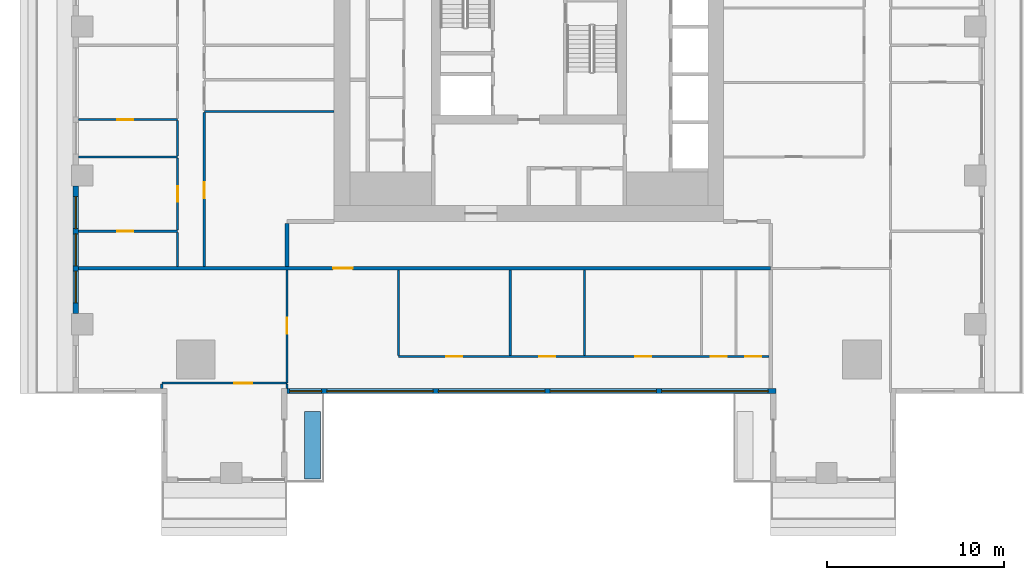
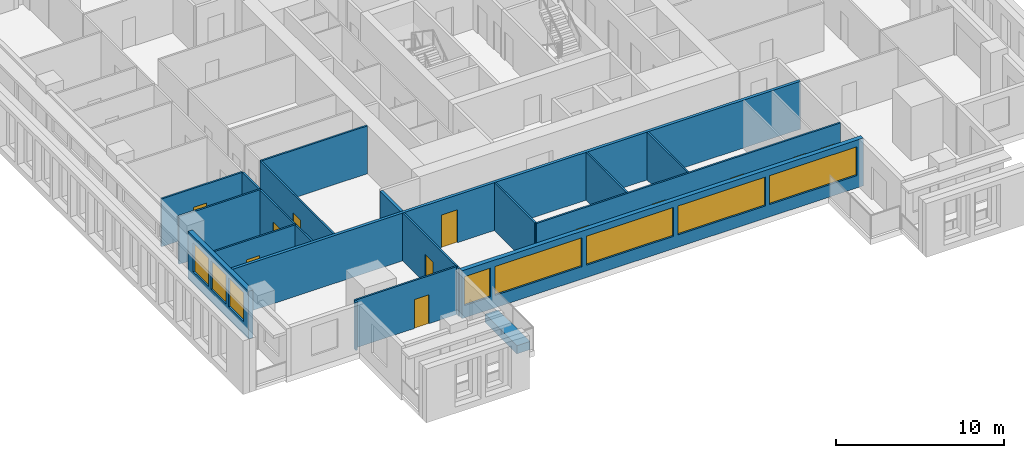
# One storey, part 2 of 14: 21 walls, 12 doors, 8 windows, 20 openings.
"""IFC4 building model written with IfcOpenShell, lengths in metres."""

from ifc_helpers import new_model, si_unit, direction, frame, frame_2d, origin, place, context, subcontext, project, spatial, rectangle, extrude, material, layer, layer_set, type_object, element, fill, save


model = new_model("IFC4")

# Units and contexts
model_context = context("Model", 3, precision=1e-05, world=origin(), true_north=direction((0.0, 1.0)))
body_context = subcontext(model_context, "Body", "Model", "MODEL_VIEW")
ifc_project = project(units=[si_unit("LENGTHUNIT", "METRE"), si_unit("AREAUNIT", "SQUARE_METRE"), si_unit("VOLUMEUNIT", "CUBIC_METRE"), si_unit("PLANEANGLEUNIT", "RADIAN"), si_unit("MASSUNIT", "GRAM", prefix="KILO")], contexts=[model_context])

# Site, building, storey
site_placement = place(None, origin())
site = spatial("IfcSite", under=ifc_project, at=site_placement, CompositionType="ELEMENT")
building_placement = place(site_placement, origin())
building = spatial("IfcBuilding", under=site, at=building_placement, Name="Khepri Terraces", CompositionType="ELEMENT")
storey_placement = place(building_placement, frame((0.0, 0.0, 279.60009765625)))
storey = spatial("IfcBuildingStorey", under=building, at=storey_placement, Name="L67", CompositionType="ELEMENT", Elevation=279.60009765625)

# Wall, opening, door
ifc_material_1 = material(Name="Fire-rated gypsum plasterboard partition, mineral wool")
ifc_layer_1 = layer(ifc_material_1, 0.199951171875, Name="Fire-rated gypsum plasterboard partition, mineral wool")
ifc_layer_set_1 = layer_set([ifc_layer_1], Name="Fire-rated gypsum plasterboard partition, mineral wool")
wall_type_1 = type_object("IfcWallType", Name="WL-CORR-200", PredefinedType="PARTITIONING", material=ifc_layer_set_1)
wall_1_placement = place(storey_placement, frame((-25.419921875, -13.64990234375, 0.0), z_axis=(0.0, 0.0, 1.0), x_axis=(1.0, 0.0, 0.0)))
wall_1 = element("IfcWall", 1, at=wall_1_placement, inside=storey, type_object=wall_type_1, Name="Partition P-014 L67", PredefinedType="PARTITIONING", context=body_context, shape_type="SweptSolid", body=[
    extrude(rectangle(XDim=39.06982421875, YDim=0.199951171875, at=frame_2d((19.534912109375, 0.0))), origin(), (0.0, 0.0, 1.0), 3.47998046875),
])
opening_1_placement = place(wall_1_placement, frame((14.3701171875, 0.0, 0.0)))
opening_1 = element("IfcOpeningElement", 2, at=opening_1_placement, cuts=wall_1, Name="Opening D1", PredefinedType="OPENING", context=body_context, shape_type="SweptSolid", body=[
    extrude(rectangle(XDim=1.10009765625, YDim=2.39990234375, at=frame_2d((0.550048828125, 1.199951171875))), frame((0.0, 0.10986328125, 0.0), z_axis=(0.0, -1.0, 0.0), x_axis=(1.0, 0.0, 0.0)), (0.0, 0.0, 1.0), 0.219970703125),
])
ifc_material_2 = material(Name="Solid-core timber door leaf, flat entrance door", Category="wood")
door_type_1 = type_object("IfcDoorType", Name="DR-ENT-1100", OperationType="NOTDEFINED", PredefinedType="DOOR", material=ifc_material_2)
door_1_placement = place(opening_1_placement, frame((1.10009765625, 0.0, 0.0), z_axis=(0.0, 0.0, 1.0), x_axis=(-1.0, 0.0, 0.0)))
door_1 = element("IfcDoor", 3, at=door_1_placement, inside=storey, type_object=door_type_1, Name="Flat A1 entrance door", OperationType="SINGLE_SWING_RIGHT", OverallHeight=2.39990234375, OverallWidth=1.10009765625, PredefinedType="DOOR", context=body_context, shape_type="SweptSolid", body=[
    extrude(rectangle(XDim=1.10009765625, YDim=2.39990234375, at=frame_2d((0.550048828125, 1.199951171875))), frame((0.0, 0.02490234375, 0.0), z_axis=(0.0, -1.0, 0.0), x_axis=(1.0, 0.0, 0.0)), (0.0, 0.0, 1.0), 0.050048828125),
])
fill(opening_1, door_1)

# Wall
wall_2_placement = place(storey_placement, frame((-13.64990234375, -13.550048828125, 0.0), z_axis=(0.0, 0.0, 1.0), x_axis=(0.0, 1.0, 0.0)))
element("IfcWall", 4, at=wall_2_placement, inside=storey, type_object=wall_type_1, Name="Partition P-019 L67", PredefinedType="PARTITIONING", context=body_context, shape_type="SweptSolid", body=[
    extrude(rectangle(XDim=2.449951171875, YDim=0.199951171875, at=frame_2d((1.22509765625, 0.0))), origin(), (0.0, 0.0, 1.0), 3.47998046875),
])

# Wall, openings, windows
ifc_material_3 = material(Name="Precast concrete C50/60 warm stone", Category="masonry")
ifc_layer_2 = layer(ifc_material_3, 0.300048828125, Name="Precast concrete C50/60 warm stone", Category="masonry")
ifc_layer_set_2 = layer_set([ifc_layer_2], Name="Precast concrete C50/60 warm stone")
wall_type_2 = type_object("IfcWallType", Name="WL-EXT-PRECAST-300", PredefinedType="STANDARD", material=ifc_layer_set_2)
wall_3_placement = place(storey_placement, frame((-25.570068359375, -9.0, 0.0), z_axis=(0.0, 0.0, 1.0), x_axis=(0.0, -1.0, 0.0)))
wall_3 = element("IfcWall", 5, at=wall_3_placement, inside=storey, type_object=wall_type_2, Name="External wall L67 W", PredefinedType="STANDARD", context=body_context, shape_type="SweptSolid", body=[
    extrude(rectangle(XDim=7.199951171875, YDim=0.300048828125, at=frame_2d((3.60009765625, 0.0))), origin(), (0.0, 0.0, 1.0), 3.47998046875),
])
opening_2_placement = place(wall_3_placement, frame((0.60009765625, 0.0, 0.89990234375)))
opening_2 = element("IfcOpeningElement", 6, at=opening_2_placement, cuts=wall_3, Name="Opening W1", PredefinedType="OPENING", context=body_context, shape_type="SweptSolid", body=[
    extrude(rectangle(XDim=1.800048828125, YDim=2.10009765625, at=frame_2d((0.89990234375, 1.050048828125))), frame((0.0, 0.16015625, 0.0), z_axis=(0.0, -1.0, 0.0), x_axis=(1.0, 0.0, 0.0)), (0.0, 0.0, 1.0), 0.320068359375),
])
opening_3_placement = place(wall_3_placement, frame((2.699951171875, 0.0, 0.89990234375)))
opening_3 = element("IfcOpeningElement", 7, at=opening_3_placement, cuts=wall_3, Name="Opening W1", PredefinedType="OPENING", context=body_context, shape_type="SweptSolid", body=[
    extrude(rectangle(XDim=1.800048828125, YDim=2.10009765625, at=frame_2d((0.89990234375, 1.050048828125))), frame((0.0, 0.16015625, 0.0), z_axis=(0.0, -1.0, 0.0), x_axis=(1.0, 0.0, 0.0)), (0.0, 0.0, 1.0), 0.320068359375),
])
opening_4_placement = place(wall_3_placement, frame((4.800048828125, 0.0, 0.89990234375)))
opening_4 = element("IfcOpeningElement", 8, at=opening_4_placement, cuts=wall_3, Name="Opening W1", PredefinedType="OPENING", context=body_context, shape_type="SweptSolid", body=[
    extrude(rectangle(XDim=1.800048828125, YDim=2.10009765625, at=frame_2d((0.89990234375, 1.050048828125))), frame((0.0, 0.16015625, 0.0), z_axis=(0.0, -1.0, 0.0), x_axis=(1.0, 0.0, 0.0)), (0.0, 0.0, 1.0), 0.320068359375),
])
ifc_material_4 = material(Name="Clear glass", Category="glass")
window_type_1 = type_object("IfcWindowType", Name="WIN-RES-1800x2100", PartitioningType="SINGLE_PANEL", PredefinedType="WINDOW", material=ifc_material_4)
window_1_placement = place(opening_2_placement, origin())
window_1 = element("IfcWindow", 9, at=window_1_placement, inside=storey, type_object=window_type_1, Name="Window L67 W", OverallHeight=2.10009765625, OverallWidth=1.800048828125, PartitioningType="SINGLE_PANEL", PredefinedType="WINDOW", context=body_context, shape_type="SweptSolid", body=[
    extrude(rectangle(XDim=1.800048828125, YDim=2.10009765625, at=frame_2d((0.89990234375, 1.050048828125))), frame((0.0, 0.030029296875, 0.0), z_axis=(0.0, -1.0, 0.0), x_axis=(1.0, 0.0, 0.0)), (0.0, 0.0, 1.0), 0.06005859375),
])
fill(opening_2, window_1)
window_2_placement = place(opening_3_placement, origin())
window_2 = element("IfcWindow", 10, at=window_2_placement, inside=storey, type_object=window_type_1, Name="Window L67 W", OverallHeight=2.10009765625, OverallWidth=1.800048828125, PartitioningType="SINGLE_PANEL", PredefinedType="WINDOW", context=body_context, shape_type="SweptSolid", body=[
    extrude(rectangle(XDim=1.800048828125, YDim=2.10009765625, at=frame_2d((0.89990234375, 1.050048828125))), frame((0.0, 0.030029296875, 0.0), z_axis=(0.0, -1.0, 0.0), x_axis=(1.0, 0.0, 0.0)), (0.0, 0.0, 1.0), 0.06005859375),
])
fill(opening_3, window_2)
window_3_placement = place(opening_4_placement, origin())
window_3 = element("IfcWindow", 11, at=window_3_placement, inside=storey, type_object=window_type_1, Name="Window L67 W", OverallHeight=2.10009765625, OverallWidth=1.800048828125, PartitioningType="SINGLE_PANEL", PredefinedType="WINDOW", context=body_context, shape_type="SweptSolid", body=[
    extrude(rectangle(XDim=1.800048828125, YDim=2.10009765625, at=frame_2d((0.89990234375, 1.050048828125))), frame((0.0, 0.030029296875, 0.0), z_axis=(0.0, -1.0, 0.0), x_axis=(1.0, 0.0, 0.0)), (0.0, 0.0, 1.0), 0.06005859375),
])
fill(opening_4, window_3)

wall_4_placement = place(storey_placement, frame((-13.64990234375, -20.570068359375, 0.0), z_axis=(0.0, 0.0, 1.0), x_axis=(1.0, 0.0, 0.0)))
wall_4 = element("IfcWall", 12, at=wall_4_placement, inside=storey, type_object=wall_type_2, Name="External wall L67 S", PredefinedType="STANDARD", context=body_context, shape_type="SweptSolid", body=[
    extrude(rectangle(XDim=27.599853515625, YDim=0.300048828125, at=frame_2d((13.7998046875, 0.0))), origin(), (0.0, 0.0, 1.0), 3.47998046875),
])
opening_5_placement = place(wall_4_placement, frame((0.14990234375, 0.0, 0.89990234375)))
opening_5 = element("IfcOpeningElement", 13, at=opening_5_placement, cuts=wall_4, Name="Opening W1", PredefinedType="OPENING", context=body_context, shape_type="SweptSolid", body=[
    extrude(rectangle(XDim=1.800048828125, YDim=2.10009765625, at=frame_2d((0.89990234375, 1.050048828125))), frame((0.0, 0.16015625, 0.0), z_axis=(0.0, -1.0, 0.0), x_axis=(1.0, 0.0, 0.0)), (0.0, 0.0, 1.0), 0.320068359375),
])
opening_6_placement = place(wall_4_placement, frame((2.25, 0.0, 0.89990234375)))
opening_6 = element("IfcOpeningElement", 14, at=opening_6_placement, cuts=wall_4, Name="Opening W3", PredefinedType="OPENING", context=body_context, shape_type="SweptSolid", body=[
    extrude(rectangle(XDim=6.0, YDim=2.10009765625, at=frame_2d((3.0, 1.050048828125))), frame((0.0, 0.16015625, 0.0), z_axis=(0.0, -1.0, 0.0), x_axis=(1.0, 0.0, 0.0)), (0.0, 0.0, 1.0), 0.320068359375),
])
opening_7_placement = place(wall_4_placement, frame((8.550048828125, 0.0, 0.89990234375)))
opening_7 = element("IfcOpeningElement", 15, at=opening_7_placement, cuts=wall_4, Name="Opening W3", PredefinedType="OPENING", context=body_context, shape_type="SweptSolid", body=[
    extrude(rectangle(XDim=6.0, YDim=2.10009765625, at=frame_2d((3.0, 1.050048828125))), frame((0.0, 0.16015625, 0.0), z_axis=(0.0, -1.0, 0.0), x_axis=(1.0, 0.0, 0.0)), (0.0, 0.0, 1.0), 0.320068359375),
])
opening_8_placement = place(wall_4_placement, frame((14.85009765625, 0.0, 0.89990234375)))
opening_8 = element("IfcOpeningElement", 16, at=opening_8_placement, cuts=wall_4, Name="Opening W3", PredefinedType="OPENING", context=body_context, shape_type="SweptSolid", body=[
    extrude(rectangle(XDim=6.0, YDim=2.10009765625, at=frame_2d((3.0, 1.050048828125))), frame((0.0, 0.16015625, 0.0), z_axis=(0.0, -1.0, 0.0), x_axis=(1.0, 0.0, 0.0)), (0.0, 0.0, 1.0), 0.320068359375),
])
opening_9_placement = place(wall_4_placement, frame((21.14990234375, 0.0, 0.89990234375)))
opening_9 = element("IfcOpeningElement", 17, at=opening_9_placement, cuts=wall_4, Name="Opening W3", PredefinedType="OPENING", context=body_context, shape_type="SweptSolid", body=[
    extrude(rectangle(XDim=6.0, YDim=2.10009765625, at=frame_2d((3.0, 1.050048828125))), frame((0.0, 0.16015625, 0.0), z_axis=(0.0, -1.0, 0.0), x_axis=(1.0, 0.0, 0.0)), (0.0, 0.0, 1.0), 0.320068359375),
])
window_4_placement = place(opening_5_placement, origin())
window_4 = element("IfcWindow", 18, at=window_4_placement, inside=storey, type_object=window_type_1, Name="Window L67 S", OverallHeight=2.10009765625, OverallWidth=1.800048828125, PartitioningType="SINGLE_PANEL", PredefinedType="WINDOW", context=body_context, shape_type="SweptSolid", body=[
    extrude(rectangle(XDim=1.800048828125, YDim=2.10009765625, at=frame_2d((0.89990234375, 1.050048828125))), frame((0.0, 0.030029296875, 0.0), z_axis=(0.0, -1.0, 0.0), x_axis=(1.0, 0.0, 0.0)), (0.0, 0.0, 1.0), 0.06005859375),
])
fill(opening_5, window_4)
window_type_2 = type_object("IfcWindowType", Name="WIN-RES-6000x2100", PartitioningType="SINGLE_PANEL", PredefinedType="WINDOW", material=ifc_material_4)
window_5_placement = place(opening_6_placement, origin())
window_5 = element("IfcWindow", 19, at=window_5_placement, inside=storey, type_object=window_type_2, Name="Window L67 S", OverallHeight=2.10009765625, OverallWidth=6.0, PartitioningType="SINGLE_PANEL", PredefinedType="WINDOW", context=body_context, shape_type="SweptSolid", body=[
    extrude(rectangle(XDim=6.0, YDim=2.10009765625, at=frame_2d((3.0, 1.050048828125))), frame((0.0, 0.030029296875, 0.0), z_axis=(0.0, -1.0, 0.0), x_axis=(1.0, 0.0, 0.0)), (0.0, 0.0, 1.0), 0.06005859375),
])
fill(opening_6, window_5)
window_6_placement = place(opening_7_placement, origin())
window_6 = element("IfcWindow", 20, at=window_6_placement, inside=storey, type_object=window_type_2, Name="Window L67 S", OverallHeight=2.10009765625, OverallWidth=6.0, PartitioningType="SINGLE_PANEL", PredefinedType="WINDOW", context=body_context, shape_type="SweptSolid", body=[
    extrude(rectangle(XDim=6.0, YDim=2.10009765625, at=frame_2d((3.0, 1.050048828125))), frame((0.0, 0.030029296875, 0.0), z_axis=(0.0, -1.0, 0.0), x_axis=(1.0, 0.0, 0.0)), (0.0, 0.0, 1.0), 0.06005859375),
])
fill(opening_7, window_6)
window_7_placement = place(opening_8_placement, origin())
window_7 = element("IfcWindow", 21, at=window_7_placement, inside=storey, type_object=window_type_2, Name="Window L67 S", OverallHeight=2.10009765625, OverallWidth=6.0, PartitioningType="SINGLE_PANEL", PredefinedType="WINDOW", context=body_context, shape_type="SweptSolid", body=[
    extrude(rectangle(XDim=6.0, YDim=2.10009765625, at=frame_2d((3.0, 1.050048828125))), frame((0.0, 0.030029296875, 0.0), z_axis=(0.0, -1.0, 0.0), x_axis=(1.0, 0.0, 0.0)), (0.0, 0.0, 1.0), 0.06005859375),
])
fill(opening_8, window_7)
window_8_placement = place(opening_9_placement, origin())
window_8 = element("IfcWindow", 22, at=window_8_placement, inside=storey, type_object=window_type_2, Name="Window L67 S", OverallHeight=2.10009765625, OverallWidth=6.0, PartitioningType="SINGLE_PANEL", PredefinedType="WINDOW", context=body_context, shape_type="SweptSolid", body=[
    extrude(rectangle(XDim=6.0, YDim=2.10009765625, at=frame_2d((3.0, 1.050048828125))), frame((0.0, 0.030029296875, 0.0), z_axis=(0.0, -1.0, 0.0), x_axis=(1.0, 0.0, 0.0)), (0.0, 0.0, 1.0), 0.06005859375),
])
fill(opening_9, window_8)

# Walls
ifc_material_5 = material(Name="Gypsum plasterboard partition")
ifc_layer_3 = layer(ifc_material_5, 0.1201171875, Name="Gypsum plasterboard partition")
ifc_layer_set_3 = layer_set([ifc_layer_3], Name="Gypsum plasterboard partition")
wall_type_3 = type_object("IfcWallType", Name="WL-PART-120", PredefinedType="PARTITIONING", material=ifc_layer_set_3)
for number, where, z_axis, x_axis, name in (
    (23, (-20.718994140625, -20.4208984375, 0.0), (0.0, 0.0, 1.0), (0.0, 1.0, 0.0), "Partition P-001 L67"),
    (24, (-13.65087890625, -20.4208984375, 0.0), (0.0, 0.0, 1.0), (0.0, 1.0, 0.0), "Partition P-002 L67"),
):
    element("IfcWall", number, at=place(storey_placement, frame(where, z_axis=z_axis, x_axis=x_axis)), inside=storey, type_object=wall_type_3, Name=name, PredefinedType="PARTITIONING", context=body_context, shape_type="SweptSolid", body=[
        extrude(rectangle(XDim=0.240966796875, YDim=0.1201171875, at=frame_2d((0.12060546875, 0.0))), origin(), (0.0, 0.0, 1.0), 3.47998046875),
    ])

# Wall, opening, door
wall_5_placement = place(storey_placement, frame((-20.718994140625, -20.1201171875, 0.0), z_axis=(0.0, 0.0, 1.0), x_axis=(1.0, 0.0, 0.0)))
wall_5 = element("IfcWall", 25, at=wall_5_placement, inside=storey, type_object=wall_type_3, Name="Partition P-006 L67", PredefinedType="PARTITIONING", context=body_context, shape_type="SweptSolid", body=[
    extrude(rectangle(XDim=7.068115234375, YDim=0.1201171875, at=frame_2d((3.5341796875, 0.0))), origin(), (0.0, 0.0, 1.0), 3.47998046875),
])
opening_10_placement = place(wall_5_placement, frame((4.09423828125, 0.0, 0.0)))
opening_10 = element("IfcOpeningElement", 26, at=opening_10_placement, cuts=wall_5, Name="Opening D2", PredefinedType="OPENING", context=body_context, shape_type="SweptSolid", body=[
    extrude(rectangle(XDim=1.0, YDim=2.10009765625, at=frame_2d((0.5, 1.050048828125))), frame((0.0, 0.070068359375, 0.0), z_axis=(0.0, -1.0, 0.0), x_axis=(1.0, 0.0, 0.0)), (0.0, 0.0, 1.0), 0.14013671875),
])
ifc_material_6 = material(Name="Timber door leaf, living room door", Category="wood")
door_type_2 = type_object("IfcDoorType", Name="DR-INT-1000", OperationType="NOTDEFINED", PredefinedType="DOOR", material=ifc_material_6)
door_2_placement = place(opening_10_placement, frame((1.0, 0.0, 0.0), z_axis=(0.0, 0.0, 1.0), x_axis=(-1.0, 0.0, 0.0)))
door_2 = element("IfcDoor", 27, at=door_2_placement, inside=storey, type_object=door_type_2, Name="Door Living Room", OperationType="SINGLE_SWING_LEFT", OverallHeight=2.10009765625, OverallWidth=1.0, PredefinedType="DOOR", context=body_context, shape_type="SweptSolid", body=[
    extrude(rectangle(XDim=1.0, YDim=2.10009765625, at=frame_2d((0.5, 1.050048828125))), frame((0.0, 0.02490234375, 0.0), z_axis=(0.0, -1.0, 0.0), x_axis=(1.0, 0.0, 0.0)), (0.0, 0.0, 1.0), 0.050048828125),
])
fill(opening_10, door_2)

wall_6_placement = place(storey_placement, frame((-13.64990234375, -20.118896484375, 0.0), z_axis=(0.0, 0.0, 1.0), x_axis=(0.0, 1.0, 0.0)))
wall_6 = element("IfcWall", 28, at=wall_6_placement, inside=storey, type_object=wall_type_3, Name="Partition P-007 L67", PredefinedType="PARTITIONING", context=body_context, shape_type="SweptSolid", body=[
    extrude(rectangle(XDim=6.368896484375, YDim=0.1201171875, at=frame_2d((3.1845703125, 0.0))), origin(), (0.0, 0.0, 1.0), 3.47998046875),
])
opening_11_placement = place(wall_6_placement, frame((2.784423828125, 0.0, 0.0)))
opening_11 = element("IfcOpeningElement", 29, at=opening_11_placement, cuts=wall_6, Name="Opening D3", PredefinedType="OPENING", context=body_context, shape_type="SweptSolid", body=[
    extrude(rectangle(XDim=0.89990234375, YDim=2.10009765625, at=frame_2d((0.449951171875, 1.050048828125))), frame((0.0, 0.070068359375, 0.0), z_axis=(0.0, -1.0, 0.0), x_axis=(1.0, 0.0, 0.0)), (0.0, 0.0, 1.0), 0.14013671875),
])
ifc_material_7 = material(Name="Timber door leaf", Category="wood")
door_type_3 = type_object("IfcDoorType", Name="DR-INT-900", OperationType="NOTDEFINED", PredefinedType="DOOR", material=ifc_material_7)
door_3_placement = place(opening_11_placement, origin())
door_3 = element("IfcDoor", 30, at=door_3_placement, inside=storey, type_object=door_type_3, Name="Door Home Gym", OperationType="SINGLE_SWING_RIGHT", OverallHeight=2.10009765625, OverallWidth=0.89990234375, PredefinedType="DOOR", context=body_context, shape_type="SweptSolid", body=[
    extrude(rectangle(XDim=0.89990234375, YDim=2.10009765625, at=frame_2d((0.449951171875, 1.050048828125))), frame((0.0, 0.02490234375, 0.0), z_axis=(0.0, -1.0, 0.0), x_axis=(1.0, 0.0, 0.0)), (0.0, 0.0, 1.0), 0.050048828125),
])
fill(opening_11, door_3)

# Wall, openings, doors
wall_7_placement = place(storey_placement, frame((-7.35009765625, -18.6201171875, 0.0), z_axis=(0.0, 0.0, 1.0), x_axis=(1.0, 0.0, 0.0)))
wall_7 = element("IfcWall", 31, at=wall_7_placement, inside=storey, type_object=wall_type_3, Name="Partition P-008 L67", PredefinedType="PARTITIONING", context=body_context, shape_type="SweptSolid", body=[
    extrude(rectangle(XDim=20.900146484375, YDim=0.1201171875, at=frame_2d((10.4501953125, 0.0))), origin(), (0.0, 0.0, 1.0), 3.47998046875),
])
opening_12_placement = place(wall_7_placement, frame((2.699951171875, 0.0, 0.0)))
opening_12 = element("IfcOpeningElement", 32, at=opening_12_placement, cuts=wall_7, Name="Opening D3", PredefinedType="OPENING", context=body_context, shape_type="SweptSolid", body=[
    extrude(rectangle(XDim=0.89990234375, YDim=2.10009765625, at=frame_2d((0.449951171875, 1.050048828125))), frame((0.0, 0.070068359375, 0.0), z_axis=(0.0, -1.0, 0.0), x_axis=(1.0, 0.0, 0.0)), (0.0, 0.0, 1.0), 0.14013671875),
])
opening_13_placement = place(wall_7_placement, frame((7.949951171875, 0.0, 0.0)))
opening_13 = element("IfcOpeningElement", 33, at=opening_13_placement, cuts=wall_7, Name="Opening D3", PredefinedType="OPENING", context=body_context, shape_type="SweptSolid", body=[
    extrude(rectangle(XDim=0.89990234375, YDim=2.10009765625, at=frame_2d((0.449951171875, 1.050048828125))), frame((0.0, 0.070068359375, 0.0), z_axis=(0.0, -1.0, 0.0), x_axis=(1.0, 0.0, 0.0)), (0.0, 0.0, 1.0), 0.14013671875),
])
opening_14_placement = place(wall_7_placement, frame((13.35009765625, 0.0, 0.0)))
opening_14 = element("IfcOpeningElement", 34, at=opening_14_placement, cuts=wall_7, Name="Opening D3", PredefinedType="OPENING", context=body_context, shape_type="SweptSolid", body=[
    extrude(rectangle(XDim=0.89990234375, YDim=2.10009765625, at=frame_2d((0.449951171875, 1.050048828125))), frame((0.0, 0.070068359375, 0.0), z_axis=(0.0, -1.0, 0.0), x_axis=(1.0, 0.0, 0.0)), (0.0, 0.0, 1.0), 0.14013671875),
])
opening_15_placement = place(wall_7_placement, frame((17.625, 0.0, 0.0)))
opening_15 = element("IfcOpeningElement", 35, at=opening_15_placement, cuts=wall_7, Name="Opening D4", PredefinedType="OPENING", context=body_context, shape_type="SweptSolid", body=[
    extrude(rectangle(XDim=0.89990234375, YDim=2.10009765625, at=frame_2d((0.449951171875, 1.050048828125))), frame((0.0, 0.070068359375, 0.0), z_axis=(0.0, -1.0, 0.0), x_axis=(1.0, 0.0, 0.0)), (0.0, 0.0, 1.0), 0.14013671875),
])
opening_16_placement = place(wall_7_placement, frame((19.574951171875, 0.0, 0.0)))
opening_16 = element("IfcOpeningElement", 36, at=opening_16_placement, cuts=wall_7, Name="Opening D4", PredefinedType="OPENING", context=body_context, shape_type="SweptSolid", body=[
    extrude(rectangle(XDim=0.89990234375, YDim=2.10009765625, at=frame_2d((0.449951171875, 1.050048828125))), frame((0.0, 0.070068359375, 0.0), z_axis=(0.0, -1.0, 0.0), x_axis=(1.0, 0.0, 0.0)), (0.0, 0.0, 1.0), 0.14013671875),
])
door_4_placement = place(opening_12_placement, origin())
door_4 = element("IfcDoor", 37, at=door_4_placement, inside=storey, type_object=door_type_3, Name="Door Kitchen", OperationType="SINGLE_SWING_LEFT", OverallHeight=2.10009765625, OverallWidth=0.89990234375, PredefinedType="DOOR", context=body_context, shape_type="SweptSolid", body=[
    extrude(rectangle(XDim=0.89990234375, YDim=2.10009765625, at=frame_2d((0.449951171875, 1.050048828125))), frame((0.0, 0.02490234375, 0.0), z_axis=(0.0, -1.0, 0.0), x_axis=(1.0, 0.0, 0.0)), (0.0, 0.0, 1.0), 0.050048828125),
])
fill(opening_12, door_4)
door_5_placement = place(opening_13_placement, origin())
door_5 = element("IfcDoor", 38, at=door_5_placement, inside=storey, type_object=door_type_3, Name="Door Service Kitchen", OperationType="SINGLE_SWING_LEFT", OverallHeight=2.10009765625, OverallWidth=0.89990234375, PredefinedType="DOOR", context=body_context, shape_type="SweptSolid", body=[
    extrude(rectangle(XDim=0.89990234375, YDim=2.10009765625, at=frame_2d((0.449951171875, 1.050048828125))), frame((0.0, 0.02490234375, 0.0), z_axis=(0.0, -1.0, 0.0), x_axis=(1.0, 0.0, 0.0)), (0.0, 0.0, 1.0), 0.050048828125),
])
fill(opening_13, door_5)
door_6_placement = place(opening_14_placement, origin())
door_6 = element("IfcDoor", 39, at=door_6_placement, inside=storey, type_object=door_type_3, Name="Door Staff Bedroom", OperationType="SINGLE_SWING_RIGHT", OverallHeight=2.10009765625, OverallWidth=0.89990234375, PredefinedType="DOOR", context=body_context, shape_type="SweptSolid", body=[
    extrude(rectangle(XDim=0.89990234375, YDim=2.10009765625, at=frame_2d((0.449951171875, 1.050048828125))), frame((0.0, 0.02490234375, 0.0), z_axis=(0.0, -1.0, 0.0), x_axis=(1.0, 0.0, 0.0)), (0.0, 0.0, 1.0), 0.050048828125),
])
fill(opening_14, door_6)
ifc_material_8 = material(Name="Timber door leaf, moisture resistant", Category="wood")
door_type_4 = type_object("IfcDoorType", Name="DR-WET-900", OperationType="NOTDEFINED", PredefinedType="DOOR", material=ifc_material_8)
door_7_placement = place(opening_15_placement, origin())
door_7 = element("IfcDoor", 40, at=door_7_placement, inside=storey, type_object=door_type_4, Name="Door Powder Room", OperationType="SINGLE_SWING_RIGHT", OverallHeight=2.10009765625, OverallWidth=0.89990234375, PredefinedType="DOOR", context=body_context, shape_type="SweptSolid", body=[
    extrude(rectangle(XDim=0.89990234375, YDim=2.10009765625, at=frame_2d((0.449951171875, 1.050048828125))), frame((0.0, 0.02490234375, 0.0), z_axis=(0.0, -1.0, 0.0), x_axis=(1.0, 0.0, 0.0)), (0.0, 0.0, 1.0), 0.050048828125),
])
fill(opening_15, door_7)
door_8_placement = place(opening_16_placement, origin())
door_8 = element("IfcDoor", 41, at=door_8_placement, inside=storey, type_object=door_type_4, Name="Door Guest Bathroom", OperationType="SINGLE_SWING_RIGHT", OverallHeight=2.10009765625, OverallWidth=0.89990234375, PredefinedType="DOOR", context=body_context, shape_type="SweptSolid", body=[
    extrude(rectangle(XDim=0.89990234375, YDim=2.10009765625, at=frame_2d((0.449951171875, 1.050048828125))), frame((0.0, 0.02490234375, 0.0), z_axis=(0.0, -1.0, 0.0), x_axis=(1.0, 0.0, 0.0)), (0.0, 0.0, 1.0), 0.050048828125),
])
fill(opening_16, door_8)

# Walls
for number, where, z_axis, x_axis, name in (
    (42, (-7.35009765625, -18.56005859375, 0.0), (0.0, 0.0, 1.0), (0.0, 1.0, 0.0), "Partition P-009 L67"),
    (43, (-1.050048828125, -18.56005859375, 0.0), (0.0, 0.0, 1.0), (0.0, 1.0, 0.0), "Partition P-010 L67"),
    (44, (3.14990234375, -18.56005859375, 0.0), (0.0, 0.0, 1.0), (0.0, 1.0, 0.0), "Partition P-011 L67"),
):
    element("IfcWall", number, at=place(storey_placement, frame(where, z_axis=z_axis, x_axis=x_axis)), inside=storey, type_object=wall_type_3, Name=name, PredefinedType="PARTITIONING", context=body_context, shape_type="SweptSolid", body=[
        extrude(rectangle(XDim=4.81005859375, YDim=0.1201171875, at=frame_2d((2.405029296875, 0.0))), origin(), (0.0, 0.0, 1.0), 3.47998046875),
    ])
wall_8_placement = place(storey_placement, frame((-19.820068359375, -13.550048828125, 0.0), z_axis=(0.0, 0.0, 1.0), x_axis=(0.0, 1.0, 0.0)))
element("IfcWall", 45, at=wall_8_placement, inside=storey, type_object=wall_type_3, Name="Partition P-017 L67", PredefinedType="PARTITIONING", context=body_context, shape_type="SweptSolid", body=[
    extrude(rectangle(XDim=1.93994140625, YDim=0.1201171875, at=frame_2d((0.969970703125, 0.0))), origin(), (0.0, 0.0, 1.0), 3.47998046875),
])

# Wall, opening, door
wall_9_placement = place(storey_placement, frame((-18.320068359375, -13.550048828125, 0.0), z_axis=(0.0, 0.0, 1.0), x_axis=(0.0, 1.0, 0.0)))
wall_9 = element("IfcWall", 46, at=wall_9_placement, inside=storey, type_object=wall_type_3, Name="Partition P-018 L67", PredefinedType="PARTITIONING", context=body_context, shape_type="SweptSolid", body=[
    extrude(rectangle(XDim=8.68994140625, YDim=0.1201171875, at=frame_2d((4.344970703125, 0.0))), origin(), (0.0, 0.0, 1.0), 3.47998046875),
])
opening_17_placement = place(wall_9_placement, frame((3.875, 0.0, 0.0)))
opening_17 = element("IfcOpeningElement", 47, at=opening_17_placement, cuts=wall_9, Name="Opening D3", PredefinedType="OPENING", context=body_context, shape_type="SweptSolid", body=[
    extrude(rectangle(XDim=0.89990234375, YDim=2.10009765625, at=frame_2d((0.449951171875, 1.050048828125))), frame((0.0, 0.070068359375, 0.0), z_axis=(0.0, -1.0, 0.0), x_axis=(1.0, 0.0, 0.0)), (0.0, 0.0, 1.0), 0.14013671875),
])
door_9_placement = place(opening_17_placement, frame((0.89990234375, 0.0, 0.0), z_axis=(0.0, 0.0, 1.0), x_axis=(-1.0, 0.0, 0.0)))
door_9 = element("IfcDoor", 48, at=door_9_placement, inside=storey, type_object=door_type_3, Name="Door Library", OperationType="SINGLE_SWING_RIGHT", OverallHeight=2.10009765625, OverallWidth=0.89990234375, PredefinedType="DOOR", context=body_context, shape_type="SweptSolid", body=[
    extrude(rectangle(XDim=0.89990234375, YDim=2.10009765625, at=frame_2d((0.449951171875, 1.050048828125))), frame((0.0, 0.02490234375, 0.0), z_axis=(0.0, -1.0, 0.0), x_axis=(1.0, 0.0, 0.0)), (0.0, 0.0, 1.0), 0.050048828125),
])
fill(opening_17, door_9)

wall_10_placement = place(storey_placement, frame((-25.419921875, -11.550048828125, 0.0), z_axis=(0.0, 0.0, 1.0), x_axis=(1.0, 0.0, 0.0)))
wall_10 = element("IfcWall", 49, at=wall_10_placement, inside=storey, type_object=wall_type_3, Name="Partition P-021 L67", PredefinedType="PARTITIONING", context=body_context, shape_type="SweptSolid", body=[
    extrude(rectangle(XDim=5.599853515625, YDim=0.1201171875, at=frame_2d((2.7998046875, 0.0))), origin(), (0.0, 0.0, 1.0), 3.47998046875),
])
opening_18_placement = place(wall_10_placement, frame((2.199951171875, 0.0, 0.0)))
opening_18 = element("IfcOpeningElement", 50, at=opening_18_placement, cuts=wall_10, Name="Opening D4", PredefinedType="OPENING", context=body_context, shape_type="SweptSolid", body=[
    extrude(rectangle(XDim=0.89990234375, YDim=2.10009765625, at=frame_2d((0.449951171875, 1.050048828125))), frame((0.0, 0.070068359375, 0.0), z_axis=(0.0, -1.0, 0.0), x_axis=(1.0, 0.0, 0.0)), (0.0, 0.0, 1.0), 0.14013671875),
])
door_10_placement = place(opening_18_placement, frame((0.89990234375, 0.0, 0.0), z_axis=(0.0, 0.0, 1.0), x_axis=(-1.0, 0.0, 0.0)))
door_10 = element("IfcDoor", 51, at=door_10_placement, inside=storey, type_object=door_type_4, Name="Door Bathroom", OperationType="SINGLE_SWING_RIGHT", OverallHeight=2.10009765625, OverallWidth=0.89990234375, PredefinedType="DOOR", context=body_context, shape_type="SweptSolid", body=[
    extrude(rectangle(XDim=0.89990234375, YDim=2.10009765625, at=frame_2d((0.449951171875, 1.050048828125))), frame((0.0, 0.02490234375, 0.0), z_axis=(0.0, -1.0, 0.0), x_axis=(1.0, 0.0, 0.0)), (0.0, 0.0, 1.0), 0.050048828125),
])
fill(opening_18, door_10)

wall_11_placement = place(storey_placement, frame((-19.820068359375, -11.489990234375, 0.0), z_axis=(0.0, 0.0, 1.0), x_axis=(0.0, 1.0, 0.0)))
wall_11 = element("IfcWall", 52, at=wall_11_placement, inside=storey, type_object=wall_type_3, Name="Partition P-023 L67", PredefinedType="PARTITIONING", context=body_context, shape_type="SweptSolid", body=[
    extrude(rectangle(XDim=4.080078125, YDim=0.1201171875, at=frame_2d((2.0400390625, 0.0))), origin(), (0.0, 0.0, 1.0), 3.47998046875),
])
opening_19_placement = place(wall_11_placement, frame((1.590087890625, 0.0, 0.0)))
opening_19 = element("IfcOpeningElement", 53, at=opening_19_placement, cuts=wall_11, Name="Opening D3", PredefinedType="OPENING", context=body_context, shape_type="SweptSolid", body=[
    extrude(rectangle(XDim=0.89990234375, YDim=2.10009765625, at=frame_2d((0.449951171875, 1.050048828125))), frame((0.0, 0.070068359375, 0.0), z_axis=(0.0, -1.0, 0.0), x_axis=(1.0, 0.0, 0.0)), (0.0, 0.0, 1.0), 0.14013671875),
])
door_11_placement = place(opening_19_placement, origin())
door_11 = element("IfcDoor", 54, at=door_11_placement, inside=storey, type_object=door_type_3, Name="Door Bedroom", OperationType="SINGLE_SWING_RIGHT", OverallHeight=2.10009765625, OverallWidth=0.89990234375, PredefinedType="DOOR", context=body_context, shape_type="SweptSolid", body=[
    extrude(rectangle(XDim=0.89990234375, YDim=2.10009765625, at=frame_2d((0.449951171875, 1.050048828125))), frame((0.0, 0.02490234375, 0.0), z_axis=(0.0, -1.0, 0.0), x_axis=(1.0, 0.0, 0.0)), (0.0, 0.0, 1.0), 0.050048828125),
])
fill(opening_19, door_11)

# Walls
wall_12_placement = place(storey_placement, frame((-25.419921875, -7.35009765625, 0.0), z_axis=(0.0, 0.0, 1.0), x_axis=(1.0, 0.0, 0.0)))
element("IfcWall", 55, at=wall_12_placement, inside=storey, type_object=wall_type_3, Name="Partition P-027 L67", PredefinedType="PARTITIONING", context=body_context, shape_type="SweptSolid", body=[
    extrude(rectangle(XDim=5.599853515625, YDim=0.1201171875, at=frame_2d((2.7998046875, 0.0))), origin(), (0.0, 0.0, 1.0), 3.47998046875),
])
wall_13_placement = place(storey_placement, frame((-19.820068359375, -7.2900390625, 0.0), z_axis=(0.0, 0.0, 1.0), x_axis=(0.0, 1.0, 0.0)))
element("IfcWall", 56, at=wall_13_placement, inside=storey, type_object=wall_type_3, Name="Partition P-029 L67", PredefinedType="PARTITIONING", context=body_context, shape_type="SweptSolid", body=[
    extrude(rectangle(XDim=1.97998046875, YDim=0.1201171875, at=frame_2d((0.989990234375, 0.0))), origin(), (0.0, 0.0, 1.0), 3.47998046875),
])

# Wall, opening, door
wall_14_placement = place(storey_placement, frame((-25.419921875, -5.25, 0.0), z_axis=(0.0, 0.0, 1.0), x_axis=(1.0, 0.0, 0.0)))
wall_14 = element("IfcWall", 57, at=wall_14_placement, inside=storey, type_object=wall_type_3, Name="Partition P-031 L67", PredefinedType="PARTITIONING", context=body_context, shape_type="SweptSolid", body=[
    extrude(rectangle(XDim=5.599853515625, YDim=0.1201171875, at=frame_2d((2.7998046875, 0.0))), origin(), (0.0, 0.0, 1.0), 3.47998046875),
])
opening_20_placement = place(wall_14_placement, frame((2.199951171875, 0.0, 0.0)))
opening_20 = element("IfcOpeningElement", 58, at=opening_20_placement, cuts=wall_14, Name="Opening D4", PredefinedType="OPENING", context=body_context, shape_type="SweptSolid", body=[
    extrude(rectangle(XDim=0.89990234375, YDim=2.10009765625, at=frame_2d((0.449951171875, 1.050048828125))), frame((0.0, 0.070068359375, 0.0), z_axis=(0.0, -1.0, 0.0), x_axis=(1.0, 0.0, 0.0)), (0.0, 0.0, 1.0), 0.14013671875),
])
door_12_placement = place(opening_20_placement, frame((0.89990234375, 0.0, 0.0), z_axis=(0.0, 0.0, 1.0), x_axis=(-1.0, 0.0, 0.0)))
door_12 = element("IfcDoor", 59, at=door_12_placement, inside=storey, type_object=door_type_4, Name="Door Bathroom", OperationType="SINGLE_SWING_RIGHT", OverallHeight=2.10009765625, OverallWidth=0.89990234375, PredefinedType="DOOR", context=body_context, shape_type="SweptSolid", body=[
    extrude(rectangle(XDim=0.89990234375, YDim=2.10009765625, at=frame_2d((0.449951171875, 1.050048828125))), frame((0.0, 0.02490234375, 0.0), z_axis=(0.0, -1.0, 0.0), x_axis=(1.0, 0.0, 0.0)), (0.0, 0.0, 1.0), 0.050048828125),
])
fill(opening_20, door_12)

# Walls
wall_15_placement = place(storey_placement, frame((-18.320068359375, -4.800048828125, 0.0), z_axis=(0.0, 0.0, 1.0), x_axis=(1.0, 0.0, 0.0)))
element("IfcWall", 60, at=wall_15_placement, inside=storey, type_object=wall_type_3, Name="Partition P-033 L67", PredefinedType="PARTITIONING", context=body_context, shape_type="SweptSolid", body=[
    extrude(rectangle(XDim=7.320068359375, YDim=0.1201171875, at=frame_2d((3.66015625, 0.0))), origin(), (0.0, 0.0, 1.0), 3.47998046875),
])
ifc_layer_4 = layer(ifc_material_3, 0.89990234375, Name="Precast concrete C50/60 warm stone", Category="masonry")
ifc_layer_set_4 = layer_set([ifc_layer_4], Name="Precast concrete C50/60 warm stone")
wall_type_4 = type_object("IfcWallType", Name="WL-PLANTER-900", PredefinedType="MOVABLE", material=ifc_layer_set_4)
wall_16_placement = place(storey_placement, frame((-12.199951171875, -25.52001953125, 0.0), z_axis=(0.0, 0.0, 1.0), x_axis=(0.0, 1.0, 0.0)))
element("IfcWall", 61, at=wall_16_placement, inside=storey, type_object=wall_type_4, Name="Planter L67", PredefinedType="MOVABLE", context=body_context, shape_type="SweptSolid", body=[
    extrude(rectangle(XDim=3.800048828125, YDim=0.89990234375, at=frame_2d((1.89990234375, 0.0))), origin(), (0.0, 0.0, 1.0), 0.599853515625),
])

save(model, "model.ifc")
